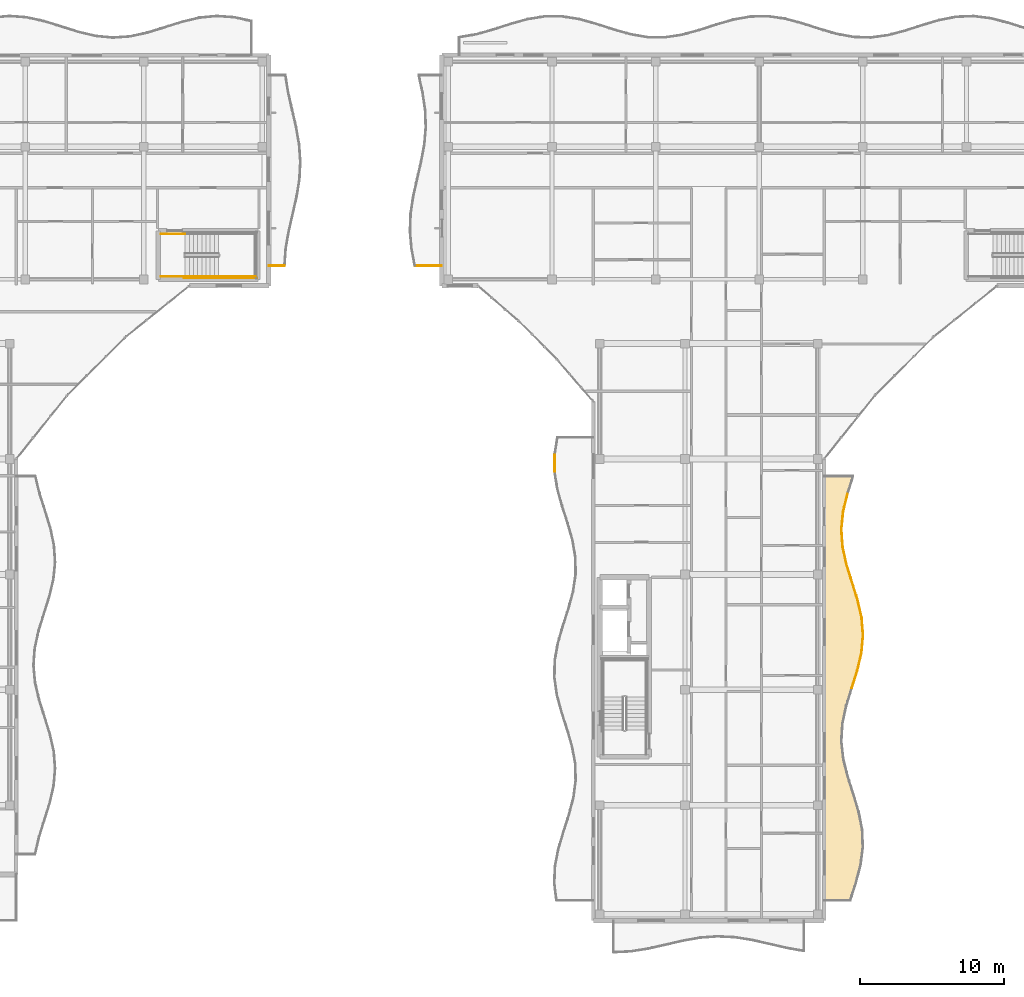
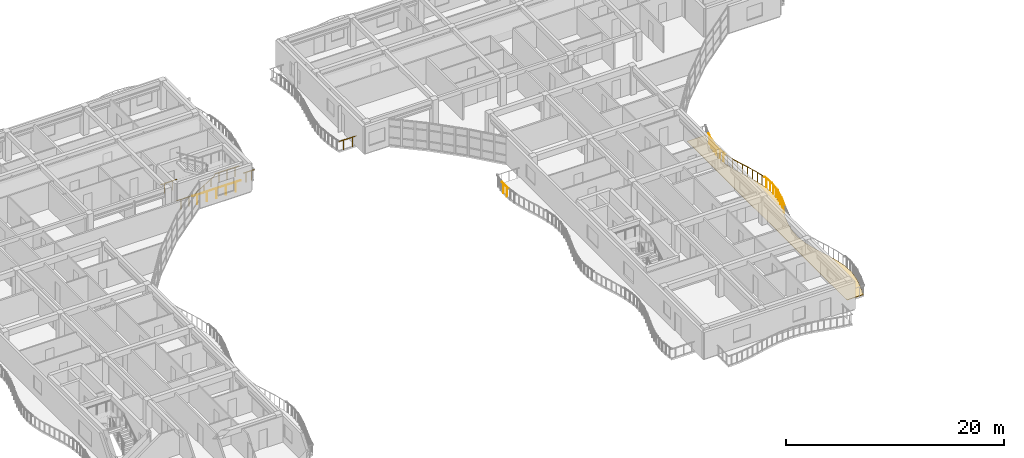
# One storey, part 60 of 71: 19 railings, 1 covering.
"""IFC4 building model written with IfcOpenShell, lengths in metres."""

from ifc_helpers import new_model, si_unit, direction, frame, origin, origin_2d, place, context, subcontext, project, spatial, polyline, circle, outline, extrude, material, layer, layer_set, type_object, element, save


model = new_model("IFC4")

# Units and contexts
model_context = context("Model", 3, precision=1e-05, world=origin(), true_north=direction((0.0, 1.0)))
body_context = subcontext(model_context, "Body", "Model", "MODEL_VIEW")
ifc_project = project(units=[si_unit("LENGTHUNIT", "METRE"), si_unit("AREAUNIT", "SQUARE_METRE"), si_unit("VOLUMEUNIT", "CUBIC_METRE"), si_unit("PLANEANGLEUNIT", "RADIAN"), si_unit("MASSUNIT", "GRAM", prefix="KILO")], contexts=[model_context])

# Site, building, storey
site_placement = place(None, origin())
site = spatial("IfcSite", under=ifc_project, at=site_placement, CompositionType="ELEMENT")
building_placement = place(site_placement, origin())
building = spatial("IfcBuilding", under=site, at=building_placement, Name="Keldmere Railside Commons", CompositionType="ELEMENT")
storey_placement = place(building_placement, frame((0.0, 0.0, 20.159912109375)))
storey = spatial("IfcBuildingStorey", under=building, at=storey_placement, Name="L06", CompositionType="ELEMENT", Elevation=20.159912109375)

# Railings
ifc_material_1 = material(Name="Steel F-24 (S235)", Category="steel")
railing_type_1 = type_object("IfcRailingType", Name="Balcony & Terrace Steel Balustrade 1100", PredefinedType="BALUSTRADE", material=ifc_material_1)
railing_1_placement = place(storey_placement, frame((81.5, 101.39990234375, 0.0)))
element("IfcRailing", 1, at=railing_1_placement, inside=storey, type_object=railing_type_1, Name="GR-1 GRD-L06-1520", PredefinedType="BALUSTRADE", context=body_context, shape_type="SweptSolid", body=[
    extrude(circle(Radius=0.02392578125, at=origin_2d()), frame((0.0, 0.0, 1.076171875), z_axis=(1.0, 0.0, 0.0), x_axis=(0.0, 1.0, 0.0)), (0.0, 0.0, 1.0), 1.100341796875),
    extrude(circle(Radius=0.02099609375, at=origin_2d()), frame((0.275146484375, 0.0, 0.0)), (0.0, 0.0, 1.0), 1.048095703125),
    extrude(circle(Radius=0.02099609375, at=origin_2d()), frame((0.8251953125, 0.0, 0.0)), (0.0, 0.0, 1.0), 1.048095703125),
])
railing_2_placement = place(storey_placement, frame((121.910888671875, 72.10009765625, 0.0)))
element("IfcRailing", 2, at=railing_2_placement, inside=storey, type_object=railing_type_1, Name="GR-1 GRD-L06-2549", PredefinedType="BALUSTRADE", context=body_context, shape_type="SweptSolid", body=[
    extrude(circle(Radius=0.02392578125, at=origin_2d()), frame((0.0, 0.0, 1.076171875), z_axis=(0.301249616311, 0.953545315479, 0.0), x_axis=(-0.953545315479, 0.301249616311, 0.0)), (0.0, 0.0, 1.0), 1.284423828125),
    extrude(circle(Radius=0.02099609375, at=origin_2d()), frame((0.0966796875, 0.30615234375, 0.0)), (0.0, 0.0, 1.0), 1.048095703125),
    extrude(circle(Radius=0.02099609375, at=origin_2d()), frame((0.290283203125, 0.918701171875, 0.0)), (0.0, 0.0, 1.0), 1.048095703125),
])
railing_3_placement = place(storey_placement, frame((122.2978515625, 73.324951171875, 0.0)))
element("IfcRailing", 3, at=railing_3_placement, inside=storey, type_object=railing_type_1, Name="GR-1 GRD-L06-2550", PredefinedType="BALUSTRADE", context=body_context, shape_type="SweptSolid", body=[
    extrude(circle(Radius=0.02392578125, at=origin_2d()), frame((0.0, 0.0, 1.076171875), z_axis=(0.230379404147, 0.973100883847, 0.0), x_axis=(-0.973100883847, 0.230379404147, 0.0)), (0.0, 0.0, 1.0), 1.259033203125),
    extrude(circle(Radius=0.02099609375, at=origin_2d()), frame((0.072509765625, 0.30615234375, 0.0)), (0.0, 0.0, 1.0), 1.048095703125),
    extrude(circle(Radius=0.02099609375, at=origin_2d()), frame((0.217529296875, 0.9189453125, 0.0)), (0.0, 0.0, 1.0), 1.048095703125),
])
railing_4_placement = place(storey_placement, frame((122.587890625, 74.550048828125, 0.0)))
element("IfcRailing", 4, at=railing_4_placement, inside=storey, type_object=railing_type_1, Name="GR-1 GRD-L06-2551", PredefinedType="BALUSTRADE", context=body_context, shape_type="SweptSolid", body=[
    extrude(circle(Radius=0.02392578125, at=origin_2d()), frame((0.0, 0.0, 1.076171875), z_axis=(0.091108433106, 0.995840977976, 0.0), x_axis=(-0.995840977976, 0.091108433106, 0.0)), (0.0, 0.0, 1.0), 1.22998046875),
    extrude(circle(Radius=0.02099609375, at=origin_2d()), frame((0.028076171875, 0.30615234375, 0.0)), (0.0, 0.0, 1.0), 1.048095703125),
    extrude(circle(Radius=0.02099609375, at=origin_2d()), frame((0.083984375, 0.918701171875, 0.0)), (0.0, 0.0, 1.0), 1.048095703125),
])
railing_5_placement = place(storey_placement, frame((122.699951171875, 75.77490234375, 0.0)))
element("IfcRailing", 5, at=railing_5_placement, inside=storey, type_object=railing_type_1, Name="GR-1 GRD-L06-2552", PredefinedType="BALUSTRADE", context=body_context, shape_type="SweptSolid", body=[
    extrude(circle(Radius=0.02392578125, at=origin_2d()), frame((0.0, 0.0, 1.076171875), z_axis=(-0.079066163699, 0.996869370458, 0.0), x_axis=(-0.996869370458, -0.079066163699, 0.0)), (0.0, 0.0, 1.0), 1.22900390625),
    extrude(circle(Radius=0.02099609375, at=origin_2d()), frame((-0.0244140625, 0.30615234375, 0.0)), (0.0, 0.0, 1.0), 1.048095703125),
    extrude(circle(Radius=0.02099609375, at=origin_2d()), frame((-0.07275390625, 0.9189453125, 0.0)), (0.0, 0.0, 1.0), 1.048095703125),
])
railing_6_placement = place(storey_placement, frame((122.602783203125, 77.0, 0.0)))
element("IfcRailing", 6, at=railing_6_placement, inside=storey, type_object=railing_type_1, Name="GR-1 GRD-L06-2553", PredefinedType="BALUSTRADE", context=body_context, shape_type="SweptSolid", body=[
    extrude(circle(Radius=0.02392578125, at=origin_2d()), frame((0.0, 0.0, 1.076171875), z_axis=(-0.222276091184, 0.974983763602, 0.0), x_axis=(-0.974983763602, -0.222276091184, 0.0)), (0.0, 0.0, 1.0), 1.256591796875),
    extrude(circle(Radius=0.02099609375, at=origin_2d()), frame((-0.06982421875, 0.30615234375, 0.0)), (0.0, 0.0, 1.0), 1.048095703125),
    extrude(circle(Radius=0.02099609375, at=origin_2d()), frame((-0.20947265625, 0.9189453125, 0.0)), (0.0, 0.0, 1.0), 1.048095703125),
])
railing_7_placement = place(storey_placement, frame((122.323486328125, 78.22509765625, 0.0)))
element("IfcRailing", 7, at=railing_7_placement, inside=storey, type_object=railing_type_1, Name="GR-1 GRD-L06-2554", PredefinedType="BALUSTRADE", context=body_context, shape_type="SweptSolid", body=[
    extrude(circle(Radius=0.02392578125, at=origin_2d()), frame((0.0, 0.0, 1.076171875), z_axis=(-0.298654066732, 0.9543614349, 0.0), x_axis=(-0.9543614349, -0.298654066732, 0.0)), (0.0, 0.0, 1.0), 1.283447265625),
    extrude(circle(Radius=0.02099609375, at=origin_2d()), frame((-0.095703125, 0.30615234375, 0.0)), (0.0, 0.0, 1.0), 1.048095703125),
    extrude(circle(Radius=0.02099609375, at=origin_2d()), frame((-0.28759765625, 0.918701171875, 0.0)), (0.0, 0.0, 1.0), 1.048095703125),
])
railing_8_placement = place(storey_placement, frame((121.940185546875, 79.449951171875, 0.0)))
element("IfcRailing", 8, at=railing_8_placement, inside=storey, type_object=railing_type_1, Name="GR-1 GRD-L06-2555", PredefinedType="BALUSTRADE", context=body_context, shape_type="SweptSolid", body=[
    extrude(circle(Radius=0.02392578125, at=origin_2d()), frame((0.0, 0.0, 1.076171875), z_axis=(-0.296692508702, 0.954973065212, 0.0), x_axis=(-0.954973065212, -0.296692508702, 0.0)), (0.0, 0.0, 1.0), 1.282958984375),
    extrude(circle(Radius=0.02099609375, at=origin_2d()), frame((-0.09521484375, 0.30615234375, 0.0)), (0.0, 0.0, 1.0), 1.048095703125),
    extrude(circle(Radius=0.02099609375, at=origin_2d()), frame((-0.285400390625, 0.9189453125, 0.0)), (0.0, 0.0, 1.0), 1.048095703125),
])
railing_9_placement = place(storey_placement, frame((121.5595703125, 80.675048828125, 0.0)))
element("IfcRailing", 9, at=railing_9_placement, inside=storey, type_object=railing_type_1, Name="GR-1 GRD-L06-2556", PredefinedType="BALUSTRADE", context=body_context, shape_type="SweptSolid", body=[
    extrude(circle(Radius=0.02392578125, at=origin_2d()), frame((0.0, 0.0, 1.076171875), z_axis=(-0.216580179413, 0.976264833887, 0.0), x_axis=(-0.976264833887, -0.216580179413, 0.0)), (0.0, 0.0, 1.0), 1.254638671875),
    extrude(circle(Radius=0.02099609375, at=origin_2d()), frame((-0.06787109375, 0.30615234375, 0.0)), (0.0, 0.0, 1.0), 1.048095703125),
    extrude(circle(Radius=0.02099609375, at=origin_2d()), frame((-0.203857421875, 0.918701171875, 0.0)), (0.0, 0.0, 1.0), 1.048095703125),
])
railing_10_placement = place(storey_placement, frame((121.287841796875, 81.89990234375, 0.0)))
element("IfcRailing", 10, at=railing_10_placement, inside=storey, type_object=railing_type_1, Name="GR-1 GRD-L06-2557", PredefinedType="BALUSTRADE", context=body_context, shape_type="SweptSolid", body=[
    extrude(circle(Radius=0.02392578125, at=origin_2d()), frame((0.0, 0.0, 1.076171875), z_axis=(-0.070964516954, 0.997478840544, 0.0), x_axis=(-0.997478840544, -0.070964516954, 0.0)), (0.0, 0.0, 1.0), 1.228271484375),
    extrude(circle(Radius=0.02099609375, at=origin_2d()), frame((-0.021728515625, 0.30615234375, 0.0)), (0.0, 0.0, 1.0), 1.048095703125),
    extrude(circle(Radius=0.02099609375, at=origin_2d()), frame((-0.0654296875, 0.9189453125, 0.0)), (0.0, 0.0, 1.0), 1.048095703125),
])
railing_11_placement = place(storey_placement, frame((121.20068359375, 83.125, 0.0)))
element("IfcRailing", 11, at=railing_11_placement, inside=storey, type_object=railing_type_1, Name="GR-1 GRD-L06-2558", PredefinedType="BALUSTRADE", context=body_context, shape_type="SweptSolid", body=[
    extrude(circle(Radius=0.02392578125, at=origin_2d()), frame((0.0, 0.0, 1.076171875), z_axis=(0.099150305715, 0.995072468153, 0.0), x_axis=(-0.995072468153, 0.099150305715, 0.0)), (0.0, 0.0, 1.0), 1.231201171875),
    extrude(circle(Radius=0.02099609375, at=origin_2d()), frame((0.030517578125, 0.30615234375, 0.0)), (0.0, 0.0, 1.0), 1.048095703125),
    extrude(circle(Radius=0.02099609375, at=origin_2d()), frame((0.091552734375, 0.9189453125, 0.0)), (0.0, 0.0, 1.0), 1.048095703125),
])
railing_12_placement = place(storey_placement, frame((121.32275390625, 84.35009765625, 0.0)))
element("IfcRailing", 12, at=railing_12_placement, inside=storey, type_object=railing_type_1, Name="GR-1 GRD-L06-2559", PredefinedType="BALUSTRADE", context=body_context, shape_type="SweptSolid", body=[
    extrude(circle(Radius=0.02392578125, at=origin_2d()), frame((0.0, 0.0, 1.076171875), z_axis=(0.235738623729, 0.971816495683, 0.0), x_axis=(-0.971816495683, 0.235738623729, 0.0)), (0.0, 0.0, 1.0), 1.26025390625),
    extrude(circle(Radius=0.02099609375, at=origin_2d()), frame((0.07421875, 0.30615234375, 0.0)), (0.0, 0.0, 1.0), 1.048095703125),
    extrude(circle(Radius=0.02099609375, at=origin_2d()), frame((0.222900390625, 0.918701171875, 0.0)), (0.0, 0.0, 1.0), 1.048095703125),
])
railing_13_placement = place(storey_placement, frame((101.323486328125, 87.122314453125, 0.0)))
element("IfcRailing", 13, at=railing_13_placement, inside=storey, type_object=railing_type_1, Name="GR-1 GRD-L06-2588", PredefinedType="BALUSTRADE", context=body_context, shape_type="SweptSolid", body=[
    extrude(circle(Radius=0.02392578125, at=origin_2d()), frame((0.0, 0.0, 1.076171875), z_axis=(0.002669943246, 0.999996435695, 0.0), x_axis=(-0.999996435695, 0.002669943246, 0.0)), (0.0, 0.0, 1.0), 1.188720703125),
    extrude(circle(Radius=0.02099609375, at=origin_2d()), frame((0.000732421875, 0.297119140625, 0.0)), (0.0, 0.0, 1.0), 1.048095703125),
    extrude(circle(Radius=0.02099609375, at=origin_2d()), frame((0.00244140625, 0.8916015625, 0.0)), (0.0, 0.0, 1.0), 1.048095703125),
])
railing_14_placement = place(storey_placement, frame((93.5, 101.39990234375, 0.0)))
element("IfcRailing", 14, at=railing_14_placement, inside=storey, type_object=railing_type_1, Name="GR-1 GRD-L06-2604", PredefinedType="BALUSTRADE", context=body_context, shape_type="SweptSolid", body=[
    extrude(circle(Radius=0.02392578125, at=origin_2d()), frame((0.0, 0.0, 1.076171875), z_axis=(-1.0, 0.0, 0.0), x_axis=(0.0, -1.0, 0.0)), (0.0, 0.0, 1.0), 1.872802734375),
    extrude(circle(Radius=0.02099609375, at=origin_2d()), frame((-0.46826171875, 0.0, 0.0)), (0.0, 0.0, 1.0), 1.048095703125),
    extrude(circle(Radius=0.02099609375, at=origin_2d()), frame((-1.404541015625, 0.0, 0.0)), (0.0, 0.0, 1.0), 1.048095703125),
])
railing_type_2 = type_object("IfcRailingType", Name="Stair Well Steel Guardrail 1100", PredefinedType="BALUSTRADE", material=ifc_material_1)
railing_15_placement = place(storey_placement, frame((78.02001953125, 100.64990234375, 1.60009765625)))
element("IfcRailing", 15, at=railing_15_placement, inside=storey, type_object=railing_type_2, Name="L06 ST-C2 stair guard 3", PredefinedType="BALUSTRADE", context=body_context, shape_type="SweptSolid", body=[
    extrude(circle(Radius=0.02392578125, at=origin_2d()), frame((0.0, 0.0, 1.076171875), z_axis=(1.0, 0.0, 0.0), x_axis=(0.0, 1.0, 0.0)), (0.0, 0.0, 1.0), 2.580078125),
    extrude(circle(Radius=0.02099609375, at=origin_2d()), frame((0.429931640625, 0.0, 0.0)), (0.0, 0.0, 1.0), 1.048095703125),
    extrude(circle(Radius=0.02099609375, at=origin_2d()), frame((1.2900390625, 0.0, 0.0)), (0.0, 0.0, 1.0), 1.048095703125),
    extrude(circle(Radius=0.02099609375, at=origin_2d()), frame((2.150146484375, 0.0, 0.0)), (0.0, 0.0, 1.0), 1.048095703125),
])
for number, where, name in (
    (16, (74.0, 100.64990234375, 0.0), "L06 ST-C2 stair guard 8"),
    (17, (74.0, 103.60009765625, 0.0), "L06 ST-C2 stair guard 9"),
):
    element("IfcRailing", number, at=place(storey_placement, frame(where)), inside=storey, type_object=railing_type_2, Name=name, PredefinedType="BALUSTRADE", context=body_context, shape_type="SweptSolid", body=[
        extrude(circle(Radius=0.02392578125, at=origin_2d()), frame((0.0, 0.0, 1.076171875), z_axis=(1.0, 0.0, 0.0), x_axis=(0.0, 1.0, 0.0)), (0.0, 0.0, 1.0), 1.699951171875),
        extrude(circle(Radius=0.02099609375, at=origin_2d()), frame((0.425048828125, 0.0, 0.0)), (0.0, 0.0, 1.0), 1.048095703125),
        extrude(circle(Radius=0.02099609375, at=origin_2d()), frame((1.27490234375, 0.0, 0.0)), (0.0, 0.0, 1.0), 1.048095703125),
    ])
railing_16_placement = place(storey_placement, frame((75.60009765625, 100.550048828125, 0.0)))
element("IfcRailing", 18, at=railing_16_placement, inside=storey, type_object=railing_type_2, Name="L06 ST-C2 stair guard 10", PredefinedType="BALUSTRADE", context=body_context, shape_type="SweptSolid", body=[
    extrude(circle(Radius=0.02392578125, at=origin_2d()), frame((0.0, 0.0, 1.076171875), z_axis=(1.0, 0.0, 0.0), x_axis=(0.0, 1.0, 0.0)), (0.0, 0.0, 1.0), 5.099853515625),
    extrude(circle(Radius=0.02099609375, at=origin_2d()), frame((0.510009765625, 0.0, 0.0)), (0.0, 0.0, 1.0), 1.048095703125),
    extrude(circle(Radius=0.02099609375, at=origin_2d()), frame((1.530029296875, 0.0, 0.0)), (0.0, 0.0, 1.0), 1.048095703125),
    extrude(circle(Radius=0.02099609375, at=origin_2d()), frame((2.5498046875, 0.0, 0.0)), (0.0, 0.0, 1.0), 1.048095703125),
    extrude(circle(Radius=0.02099609375, at=origin_2d()), frame((3.56982421875, 0.0, 0.0)), (0.0, 0.0, 1.0), 1.048095703125),
    extrude(circle(Radius=0.02099609375, at=origin_2d()), frame((4.58984375, 0.0, 0.0)), (0.0, 0.0, 1.0), 1.048095703125),
])
railing_type_3 = type_object("IfcRailingType", Name="Wall-Mounted Tubular Steel Handrail 900", PredefinedType="HANDRAIL", material=ifc_material_1)
railing_17_placement = place(storey_placement, frame((75.699951171875, 100.64990234375, 0.177978515625)))
element("IfcRailing", 19, at=railing_17_placement, inside=storey, type_object=railing_type_3, Name="L06 ST-C2 stair handrail 1", PredefinedType="HANDRAIL", context=body_context, shape_type="SweptSolid", body=[
    extrude(circle(Radius=0.02392578125, at=origin_2d()), frame((0.0, 0.0, 0.8759765625), z_axis=(0.852578041948, 0.0, 0.522599925744), x_axis=(0.0, 1.0, 0.0)), (0.0, 0.0, 1.0), 2.72119140625),
    extrude(circle(Radius=0.02099609375, at=origin_2d()), frame((0.38671875, 0.0, 0.237060546875)), (0.0, 0.0, 1.0), 0.847900390625),
    extrude(circle(Radius=0.02099609375, at=origin_2d()), frame((1.16015625, 0.0, 0.7109375)), (0.0, 0.0, 1.0), 0.847900390625),
    extrude(circle(Radius=0.02099609375, at=origin_2d()), frame((1.933349609375, 0.0, 1.18505859375)), (0.0, 0.0, 1.0), 0.847900390625),
])

# Covering
ifc_material_2 = material(Name="White Precast Concrete C35/45", Category="concrete")
ifc_layer = layer(ifc_material_2, 0.044921875, Name="White Architectural Balcony Ribbon Cladding 45")
ifc_layer_set = layer_set([ifc_layer], Name="White Precast Concrete C35/45")
covering_type = type_object("IfcCoveringType", Name="White Architectural Balcony Ribbon Cladding 45", PredefinedType="FLOORING", material=ifc_layer_set)
covering_placement = place(storey_placement, origin())
element("IfcCovering", 20, at=covering_placement, inside=storey, type_object=covering_type, Name="CLG-WB B L06 CE White Balcony Ribbon", PredefinedType="FLOORING", context=body_context, shape_type="SweptSolid", body=[
    extrude(outline(polyline([(122.169677734375, 58.63623046875), (122.491455078125, 59.857666015625), (122.6513671875, 61.076904296875), (122.60546875, 62.29541015625), (122.3662109375, 63.515380859375), (122.0, 64.73828125), (121.6083984375, 65.962890625), (121.607666015625, 65.96533203125), (121.300537109375, 67.190185546875), (121.299560546875, 67.195556640625), (121.162841796875, 68.420654296875), (121.16259765625, 68.423828125), (121.162841796875, 68.42724609375), (121.234619140625, 69.65234375), (121.23486328125, 69.6552734375), (121.2353515625, 69.658203125), (121.49560546875, 70.88330078125), (121.49658203125, 70.88671875), (121.87255859375, 72.11181640625), (121.872802734375, 72.112060546875), (122.25927734375, 73.335693359375), (122.548095703125, 74.556396484375), (122.659912109375, 75.775146484375), (122.56298828125, 76.993896484375), (122.284912109375, 78.214599609375), (121.90185546875, 79.43798828125), (121.90185546875, 79.43798828125), (121.521240234375, 80.6630859375), (121.5205078125, 80.666259765625), (121.248779296875, 81.891357421875), (121.248291015625, 81.894287109375), (121.247802734375, 81.897216796875), (121.160888671875, 83.122314453125), (121.160888671875, 83.12548828125), (121.160888671875, 83.12890625), (121.282958984375, 84.35400390625), (121.283935546875, 84.359375), (121.580810546875, 85.58447265625), (121.581787109375, 85.587158203125), (121.9541015625, 86.760009765625), (120.0400390625, 86.760009765625), (120.0400390625, 57.43994140625), (121.7841796875, 57.43994140625), (122.169677734375, 58.63623046875)])), origin(), (0.0, 0.0, 1.0), 0.045166015625),
])

save(model, "model.ifc")
